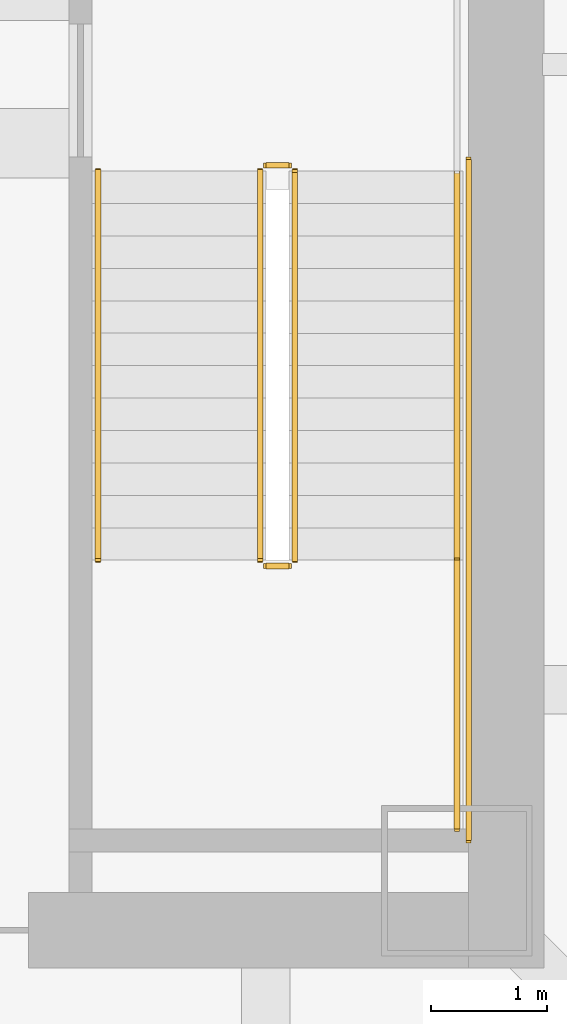
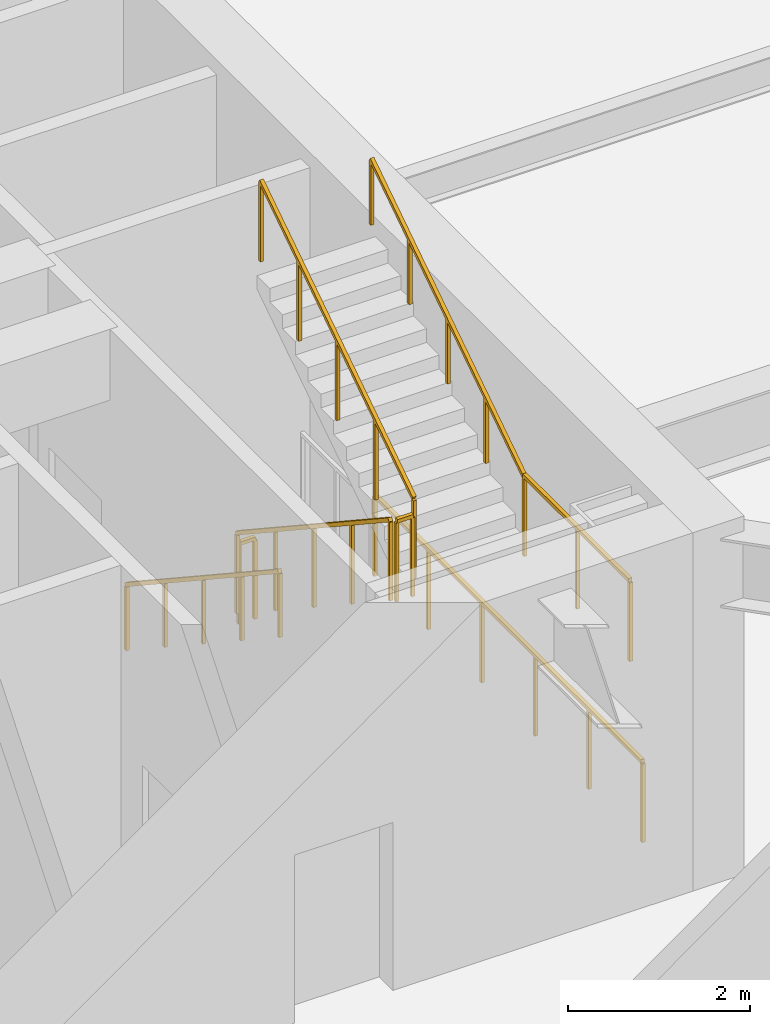
# One storey, part 14 of 21: 8 railings.
"""IFC4 building model written with IfcOpenShell, lengths in metres."""

from ifc_helpers import new_model, si_unit, direction, frame, origin, origin_2d, place, context, subcontext, project, spatial, rectangle, extrude, material, type_object, element, save


model = new_model("IFC4")

# Units and contexts
model_context = context("Model", 3, precision=1e-05, world=origin(), true_north=direction((0.0, 1.0)))
body_context = subcontext(model_context, "Body", "Model", "MODEL_VIEW")
ifc_project = project(units=[si_unit("LENGTHUNIT", "METRE"), si_unit("AREAUNIT", "SQUARE_METRE"), si_unit("VOLUMEUNIT", "CUBIC_METRE"), si_unit("PLANEANGLEUNIT", "RADIAN"), si_unit("MASSUNIT", "GRAM", prefix="KILO")], contexts=[model_context])

# Site, building, storey
site_placement = place(None, origin())
site = spatial("IfcSite", under=ifc_project, at=site_placement, CompositionType="ELEMENT")
building_placement = place(site_placement, origin())
building = spatial("IfcBuilding", under=site, at=building_placement, Name="Tashvorn Skyway Center", CompositionType="ELEMENT")
storey_placement = place(building_placement, frame((0.0, 0.0, 19.800048828125)))
storey = spatial("IfcBuildingStorey", under=building, at=storey_placement, Name="L04", CompositionType="ELEMENT", Elevation=19.800048828125)

# Railings
ifc_material_1 = material(Name="Brushed stainless steel 316", Category="steel")
railing_type_1 = type_object("IfcRailingType", Name="RAIL-HAND-920", PredefinedType="HANDRAIL", material=ifc_material_1)
railing_1_placement = place(storey_placement, frame((45.949951171875, 31.080078125, 0.1845703125)))
element("IfcRailing", 1, at=railing_1_placement, inside=storey, type_object=railing_type_1, Name="L04 ST-T1-2 stair handrail 1", PredefinedType="HANDRAIL", context=body_context, shape_type="SweptSolid", body=[
    extrude(rectangle(XDim=0.048095703125, YDim=0.048095703125, at=origin_2d()), frame((0.0, 0.0, 0.8759765625), z_axis=(0.0, -0.834876476806, 0.550437342915), x_axis=(1.0, 0.0, 0.0)), (0.0, 0.0, 1.0), 4.024658203125),
    extrude(rectangle(XDim=0.0419921875, YDim=0.0419921875, at=origin_2d()), origin(), (0.0, 0.0, 1.0), 0.851806640625),
    extrude(rectangle(XDim=0.0419921875, YDim=0.0419921875, at=origin_2d()), frame((0.0, -0.840087890625, 0.5537109375)), (0.0, 0.0, 1.0), 0.851806640625),
    extrude(rectangle(XDim=0.0419921875, YDim=0.0419921875, at=origin_2d()), frame((0.0, -1.68017578125, 1.107666015625)), (0.0, 0.0, 1.0), 0.851806640625),
    extrude(rectangle(XDim=0.0419921875, YDim=0.0419921875, at=origin_2d()), frame((0.0, -2.52001953125, 1.66162109375)), (0.0, 0.0, 1.0), 0.851806640625),
    extrude(rectangle(XDim=0.0419921875, YDim=0.0419921875, at=origin_2d()), frame((0.0, -3.360107421875, 2.21533203125)), (0.0, 0.0, 1.0), 0.851806640625),
])
railing_2_placement = place(storey_placement, frame((49.050048828125, 27.719970703125, 2.58447265625)))
element("IfcRailing", 2, at=railing_2_placement, inside=storey, type_object=railing_type_1, Name="L04 ST-T1-2 stair handrail 2", PredefinedType="HANDRAIL", context=body_context, shape_type="SweptSolid", body=[
    extrude(rectangle(XDim=0.048095703125, YDim=0.048095703125, at=origin_2d()), frame((0.0, 0.0, 0.8759765625), z_axis=(0.0, 0.834848600103, 0.550479622607), x_axis=(-1.0, 0.0, 0.0)), (0.0, 0.0, 1.0), 4.02490234375),
    extrude(rectangle(XDim=0.0419921875, YDim=0.0419921875, at=origin_2d()), origin(), (0.0, 0.0, 1.0), 0.851806640625),
    extrude(rectangle(XDim=0.0419921875, YDim=0.0419921875, at=origin_2d()), frame((0.0, 0.840087890625, 0.553955078125)), (0.0, 0.0, 1.0), 0.851806640625),
    extrude(rectangle(XDim=0.0419921875, YDim=0.0419921875, at=origin_2d()), frame((0.0, 1.68017578125, 1.10791015625)), (0.0, 0.0, 1.0), 0.851806640625),
    extrude(rectangle(XDim=0.0419921875, YDim=0.0419921875, at=origin_2d()), frame((0.0, 2.52001953125, 1.66162109375)), (0.0, 0.0, 1.0), 0.851806640625),
    extrude(rectangle(XDim=0.0419921875, YDim=0.0419921875, at=origin_2d()), frame((0.0, 3.360107421875, 2.215576171875)), (0.0, 0.0, 1.0), 0.851806640625),
])
ifc_material_2 = material(Name="Painted galvanized steel S355", Category="steel")
railing_type_2 = type_object("IfcRailingType", Name="RAIL-STGUARD-1100", PredefinedType="GUARDRAIL", material=ifc_material_2)
railing_3_placement = place(storey_placement, frame((47.35009765625, 31.080078125, 0.1845703125)))
element("IfcRailing", 3, at=railing_3_placement, inside=storey, type_object=railing_type_2, Name="L04 ST-T1-2 stair guard 1", PredefinedType="GUARDRAIL", context=body_context, shape_type="SweptSolid", body=[
    extrude(rectangle(XDim=0.048095703125, YDim=0.048095703125, at=origin_2d()), frame((0.0, 0.0, 1.076171875), z_axis=(0.0, -0.834876476806, 0.550437342915), x_axis=(1.0, 0.0, 0.0)), (0.0, 0.0, 1.0), 4.024658203125),
    extrude(rectangle(XDim=0.0419921875, YDim=0.0419921875, at=origin_2d()), origin(), (0.0, 0.0, 1.0), 1.052001953125),
    extrude(rectangle(XDim=0.0419921875, YDim=0.0419921875, at=origin_2d()), frame((0.0, -0.840087890625, 0.5537109375)), (0.0, 0.0, 1.0), 1.052001953125),
    extrude(rectangle(XDim=0.0419921875, YDim=0.0419921875, at=origin_2d()), frame((0.0, -1.68017578125, 1.107666015625)), (0.0, 0.0, 1.0), 1.052001953125),
    extrude(rectangle(XDim=0.0419921875, YDim=0.0419921875, at=origin_2d()), frame((0.0, -2.52001953125, 1.66162109375)), (0.0, 0.0, 1.0), 1.052001953125),
    extrude(rectangle(XDim=0.0419921875, YDim=0.0419921875, at=origin_2d()), frame((0.0, -3.360107421875, 2.21533203125)), (0.0, 0.0, 1.0), 1.052001953125),
])
railing_4_placement = place(storey_placement, frame((47.39990234375, 27.669921875, 2.39990234375)))
element("IfcRailing", 4, at=railing_4_placement, inside=storey, type_object=railing_type_2, Name="L04 ST-T1-2 stair guard 2", PredefinedType="GUARDRAIL", context=body_context, shape_type="SweptSolid", body=[
    extrude(rectangle(XDim=0.048095703125, YDim=0.048095703125, at=origin_2d()), frame((0.0, 0.0, 1.076171875), z_axis=(1.0, 0.0, 0.0), x_axis=(0.0, 1.0, 0.0)), (0.0, 0.0, 1.0), 0.2001953125),
    extrude(rectangle(XDim=0.0419921875, YDim=0.0419921875, at=origin_2d()), origin(), (0.0, 0.0, 1.0), 1.052001953125),
    extrude(rectangle(XDim=0.0419921875, YDim=0.0419921875, at=origin_2d()), frame((0.2001953125, 0.0, 0.0)), (0.0, 0.0, 1.0), 1.052001953125),
])
railing_5_placement = place(storey_placement, frame((49.050048828125, 27.719970703125, 2.39990234375)))
element("IfcRailing", 5, at=railing_5_placement, inside=storey, type_object=railing_type_2, Name="L04 ST-T1-2 stair guard 3", PredefinedType="GUARDRAIL", context=body_context, shape_type="SweptSolid", body=[
    extrude(rectangle(XDim=0.048095703125, YDim=0.048095703125, at=origin_2d()), frame((0.0, 0.0, 1.076171875), z_axis=(0.0, -1.0, 0.0), x_axis=(1.0, 0.0, 0.0)), (0.0, 0.0, 1.0), 2.320068359375),
    extrude(rectangle(XDim=0.0419921875, YDim=0.0419921875, at=origin_2d()), origin(), (0.0, 0.0, 1.0), 1.052001953125),
    extrude(rectangle(XDim=0.0419921875, YDim=0.0419921875, at=origin_2d()), frame((0.0, -1.16015625, 0.0)), (0.0, 0.0, 1.0), 1.052001953125),
    extrude(rectangle(XDim=0.0419921875, YDim=0.0419921875, at=origin_2d()), frame((0.0, -2.320068359375, 0.0)), (0.0, 0.0, 1.0), 1.052001953125),
])
railing_6_placement = place(storey_placement, frame((47.64990234375, 27.719970703125, 2.58447265625)))
element("IfcRailing", 6, at=railing_6_placement, inside=storey, type_object=railing_type_2, Name="L04 ST-T1-2 stair guard 4", PredefinedType="GUARDRAIL", context=body_context, shape_type="SweptSolid", body=[
    extrude(rectangle(XDim=0.048095703125, YDim=0.048095703125, at=origin_2d()), frame((0.0, 0.0, 1.076171875), z_axis=(0.0, 0.834848600103, 0.550479622607), x_axis=(-1.0, 0.0, 0.0)), (0.0, 0.0, 1.0), 4.02490234375),
    extrude(rectangle(XDim=0.0419921875, YDim=0.0419921875, at=origin_2d()), origin(), (0.0, 0.0, 1.0), 1.052001953125),
    extrude(rectangle(XDim=0.0419921875, YDim=0.0419921875, at=origin_2d()), frame((0.0, 0.840087890625, 0.553955078125)), (0.0, 0.0, 1.0), 1.052001953125),
    extrude(rectangle(XDim=0.0419921875, YDim=0.0419921875, at=origin_2d()), frame((0.0, 1.68017578125, 1.10791015625)), (0.0, 0.0, 1.0), 1.052001953125),
    extrude(rectangle(XDim=0.0419921875, YDim=0.0419921875, at=origin_2d()), frame((0.0, 2.52001953125, 1.66162109375)), (0.0, 0.0, 1.0), 1.052001953125),
    extrude(rectangle(XDim=0.0419921875, YDim=0.0419921875, at=origin_2d()), frame((0.0, 3.360107421875, 2.215576171875)), (0.0, 0.0, 1.0), 1.052001953125),
])
railing_7_placement = place(storey_placement, frame((47.39990234375, 31.1298828125, 0.0)))
element("IfcRailing", 7, at=railing_7_placement, inside=storey, type_object=railing_type_2, Name="L04 ST-T1-2 stair guard 5", PredefinedType="GUARDRAIL", context=body_context, shape_type="SweptSolid", body=[
    extrude(rectangle(XDim=0.048095703125, YDim=0.048095703125, at=origin_2d()), frame((0.0, 0.0, 1.076171875), z_axis=(1.0, 0.0, 0.0), x_axis=(0.0, 1.0, 0.0)), (0.0, 0.0, 1.0), 0.2001953125),
    extrude(rectangle(XDim=0.0419921875, YDim=0.0419921875, at=origin_2d()), origin(), (0.0, 0.0, 1.0), 1.052001953125),
    extrude(rectangle(XDim=0.0419921875, YDim=0.0419921875, at=origin_2d()), frame((0.2001953125, 0.0, 0.0)), (0.0, 0.0, 1.0), 1.052001953125),
])
railing_8_placement = place(storey_placement, frame((49.14990234375, 31.179931640625, 0.0)))
element("IfcRailing", 8, at=railing_8_placement, inside=storey, type_object=railing_type_2, Name="L04 ST-T1-2 stair guard 7", PredefinedType="GUARDRAIL", context=body_context, shape_type="SweptSolid", body=[
    extrude(rectangle(XDim=0.048095703125, YDim=0.048095703125, at=origin_2d()), frame((0.0, 0.0, 1.076171875), z_axis=(0.0, -1.0, 0.0), x_axis=(1.0, 0.0, 0.0)), (0.0, 0.0, 1.0), 5.8798828125),
    extrude(rectangle(XDim=0.0419921875, YDim=0.0419921875, at=origin_2d()), origin(), (0.0, 0.0, 1.0), 1.052001953125),
    extrude(rectangle(XDim=0.0419921875, YDim=0.0419921875, at=origin_2d()), frame((0.0, -1.176025390625, 0.0)), (0.0, 0.0, 1.0), 1.052001953125),
    extrude(rectangle(XDim=0.0419921875, YDim=0.0419921875, at=origin_2d()), frame((0.0, -2.35205078125, 0.0)), (0.0, 0.0, 1.0), 1.052001953125),
    extrude(rectangle(XDim=0.0419921875, YDim=0.0419921875, at=origin_2d()), frame((0.0, -3.52783203125, 0.0)), (0.0, 0.0, 1.0), 1.052001953125),
    extrude(rectangle(XDim=0.0419921875, YDim=0.0419921875, at=origin_2d()), frame((0.0, -4.703857421875, 0.0)), (0.0, 0.0, 1.0), 1.052001953125),
    extrude(rectangle(XDim=0.0419921875, YDim=0.0419921875, at=origin_2d()), frame((0.0, -5.8798828125, 0.0)), (0.0, 0.0, 1.0), 1.052001953125),
])

save(model, "model.ifc")
